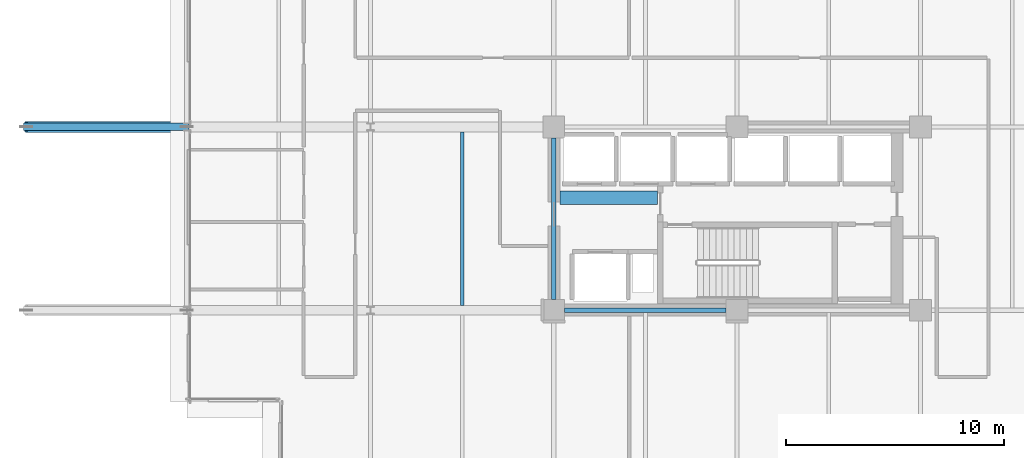
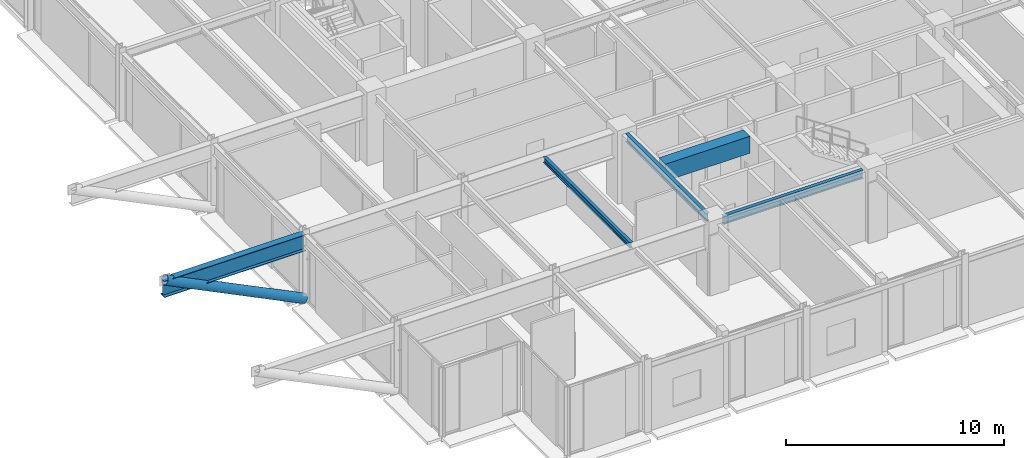
# One storey, part 7 of 30: 5 beams, 1 member.
"""IFC4 building model written with IfcOpenShell, lengths in metres."""

from ifc_helpers import new_model, si_unit, direction, frame, origin, origin_2d, place, context, subcontext, project, spatial, rectangle, hollow_circle, i_section, extrude, material, material_profile, profile_set, type_object, element, save


model = new_model("IFC4")

# Units and contexts
model_context = context("Model", 3, precision=1e-05, world=origin(), true_north=direction((0.0, 1.0)))
body_context = subcontext(model_context, "Body", "Model", "MODEL_VIEW")
ifc_project = project(units=[si_unit("LENGTHUNIT", "METRE"), si_unit("AREAUNIT", "SQUARE_METRE"), si_unit("VOLUMEUNIT", "CUBIC_METRE"), si_unit("PLANEANGLEUNIT", "RADIAN"), si_unit("MASSUNIT", "GRAM", prefix="KILO")], contexts=[model_context])

# Site, building, storey
site_placement = place(None, origin())
site = spatial("IfcSite", under=ifc_project, at=site_placement, CompositionType="ELEMENT")
building_placement = place(site_placement, origin())
building = spatial("IfcBuilding", under=site, at=building_placement, Name="Nerrivon Quay Data Exchange", CompositionType="ELEMENT")
storey_placement = place(building_placement, frame((0.0, 0.0, 167.300048828125)))
storey = spatial("IfcBuildingStorey", under=building, at=storey_placement, Name="L39", CompositionType="ELEMENT", Elevation=167.300048828125)

# Beams
ifc_material_1 = material(Name="Steel Grade 350", Category="steel")
ifc_material_profile_1 = material_profile(ifc_material_1, i_section(OverallWidth=0.35009765625, OverallDepth=0.909912109375, WebThickness=0.011962890625, FlangeThickness=0.02490234375, at=origin_2d()), Name="900WB218")
ifc_profile_set_1 = profile_set([ifc_material_profile_1], Name="Steel Grade 350")
beam_type_1 = type_object("IfcBeamType", Name="BM-CANT-900WB", PredefinedType="USERDEFINED", material=ifc_profile_set_1)
beam_1_placement = place(storey_placement, frame((-0.010009765625, 16.800048828125, 3.369873046875), z_axis=(-1.0, 0.0, 0.0), x_axis=(0.0, -1.0, 0.0)))
element("IfcBeam", 1, at=beam_1_placement, inside=storey, type_object=beam_type_1, Name="L39 West Hooked Base Cantilever Girder Y=16.8", ObjectType="TRANSFER", PredefinedType="USERDEFINED", context=body_context, shape_type="SweptSolid", body=[
    extrude(i_section(OverallWidth=0.35009765625, OverallDepth=0.909912109375, WebThickness=0.011962890625, FlangeThickness=0.02490234375, at=origin_2d()), origin(), (0.0, 0.0, 1.0), 7.489990234375),
])
ifc_material_2 = material(Name="Concrete N50 (50 MPa)", Category="concrete")
ifc_material_profile_2 = material_profile(ifc_material_2, rectangle(XDim=0.60009765625, YDim=0.949951171875, at=origin_2d()), Name="RC-CB-600x950")
ifc_profile_set_2 = profile_set([ifc_material_profile_2], Name="Concrete N50 (50 MPa)")
beam_type_2 = type_object("IfcBeamType", Name="BM-CB2-600x950", PredefinedType="LINTEL", material=ifc_profile_set_2)
beam_2_placement = place(storey_placement, frame((17.074951171875, 13.550048828125, 3.349853515625), z_axis=(1.0, 0.0, 0.0), x_axis=(0.0, 1.0, 0.0)))
element("IfcBeam", 2, at=beam_2_placement, inside=storey, type_object=beam_type_2, Name="L39 East Core Coupling Beam", PredefinedType="LINTEL", context=body_context, shape_type="SweptSolid", body=[
    extrude(rectangle(XDim=0.60009765625, YDim=0.949951171875, at=origin_2d()), origin(), (0.0, 0.0, 1.0), 4.47998046875),
])
ifc_material_profile_3 = material_profile(ifc_material_1, i_section(OverallWidth=0.19091796875, OverallDepth=0.4599609375, WebThickness=0.010009765625, FlangeThickness=0.01611328125, FilletRadius=0.011474609375, at=origin_2d()), Name="460UB82.1")
ifc_profile_set_3 = profile_set([ifc_material_profile_3], Name="Steel Grade 350")
beam_type_3 = type_object("IfcBeamType", Name="BM-G5-460UB82", PredefinedType="BEAM", material=ifc_profile_set_3)
beam_3_placement = place(storey_placement, frame((17.300048828125, 8.39990234375, 3.594970703125), z_axis=(1.0, 0.0, 0.0), x_axis=(0.0, 1.0, 0.0)))
element("IfcBeam", 3, at=beam_3_placement, inside=storey, type_object=beam_type_3, Name="L39 EW Girder Y=8.4 (16.8..25.2)", PredefinedType="BEAM", context=body_context, shape_type="SweptSolid", body=[
    extrude(i_section(OverallWidth=0.19091796875, OverallDepth=0.4599609375, WebThickness=0.010009765625, FlangeThickness=0.01611328125, FilletRadius=0.011474609375, at=origin_2d()), origin(), (0.0, 0.0, 1.0), 7.39990234375),
])
ifc_material_profile_4 = material_profile(ifc_material_1, i_section(OverallWidth=0.18994140625, OverallDepth=0.4541015625, WebThickness=0.008544921875, FlangeThickness=0.0126953125, FilletRadius=0.011474609375, at=origin_2d()), Name="460UB67.1")
ifc_profile_set_4 = profile_set([ifc_material_profile_4], Name="Steel Grade 350")
beam_type_4 = type_object("IfcBeamType", Name="BM-G6-460UB67", PredefinedType="BEAM", material=ifc_profile_set_4)
beam_4_placement = place(storey_placement, frame((16.800048828125, 8.89990234375, 3.597900390625), z_axis=(0.0, 1.0, 0.0), x_axis=(-1.0, 0.0, 0.0)))
element("IfcBeam", 4, at=beam_4_placement, inside=storey, type_object=beam_type_4, Name="L39 NS Girder X=16.8 (8.4..16.8)", PredefinedType="BEAM", context=body_context, shape_type="SweptSolid", body=[
    extrude(i_section(OverallWidth=0.18994140625, OverallDepth=0.4541015625, WebThickness=0.008544921875, FlangeThickness=0.0126953125, FilletRadius=0.011474609375, at=origin_2d()), origin(), (0.0, 0.0, 1.0), 7.400146484375),
])
ifc_material_profile_5 = material_profile(ifc_material_1, i_section(OverallWidth=0.166015625, OverallDepth=0.306884765625, WebThickness=0.006591796875, FlangeThickness=0.01171875, FilletRadius=0.011474609375, at=origin_2d()), Name="310UB46.2")
ifc_profile_set_5 = profile_set([ifc_material_profile_5], Name="Steel Grade 350")
beam_type_5 = type_object("IfcBeamType", Name="BM-J5-310UB46", PredefinedType="JOIST", material=ifc_profile_set_5)
beam_5_placement = place(storey_placement, frame((12.60009765625, 8.625, 3.67138671875), z_axis=(0.0, 1.0, 0.0), x_axis=(-1.0, 0.0, 0.0)))
element("IfcBeam", 5, at=beam_5_placement, inside=storey, type_object=beam_type_5, Name="L39 Secondary Joist X=12.6 (8.4..16.8)", PredefinedType="JOIST", context=body_context, shape_type="SweptSolid", body=[
    extrude(i_section(OverallWidth=0.166015625, OverallDepth=0.306884765625, WebThickness=0.006591796875, FlangeThickness=0.01171875, FilletRadius=0.011474609375, at=origin_2d()), origin(), (0.0, 0.0, 1.0), 7.949951171875),
])

# Member
ifc_material_3 = material(Name="Steel Grade C350L0 (350 MPa)", Category="steel")
ifc_material_profile_6 = material_profile(ifc_material_3, hollow_circle(Radius=0.25390625, WallThickness=0.02001953125, at=origin_2d()), Name="508.0x20.0CHS")
ifc_profile_set_6 = profile_set([ifc_material_profile_6], Name="Steel Grade C350L0 (350 MPa)")
member_type = type_object("IfcMemberType", Name="MEM-OB2-508CHS", PredefinedType="BRACE", material=ifc_profile_set_6)
member_placement = place(storey_placement, frame((-0.010009765625, 16.800048828125, 0.14990234375), z_axis=(-0.897327193084, 0.0, 0.441365957628), x_axis=(0.0, -1.0, 0.0)))
element("IfcMember", 6, at=member_placement, inside=storey, type_object=member_type, Name="L39 structural brace BR-L39-WHOOK-168", PredefinedType="BRACE", context=body_context, shape_type="SweptSolid", body=[
    extrude(hollow_circle(Radius=0.25390625, WallThickness=0.02001953125, at=origin_2d()), origin(), (0.0, 0.0, 1.0), 8.213134765625),
])

save(model, "model.ifc")
